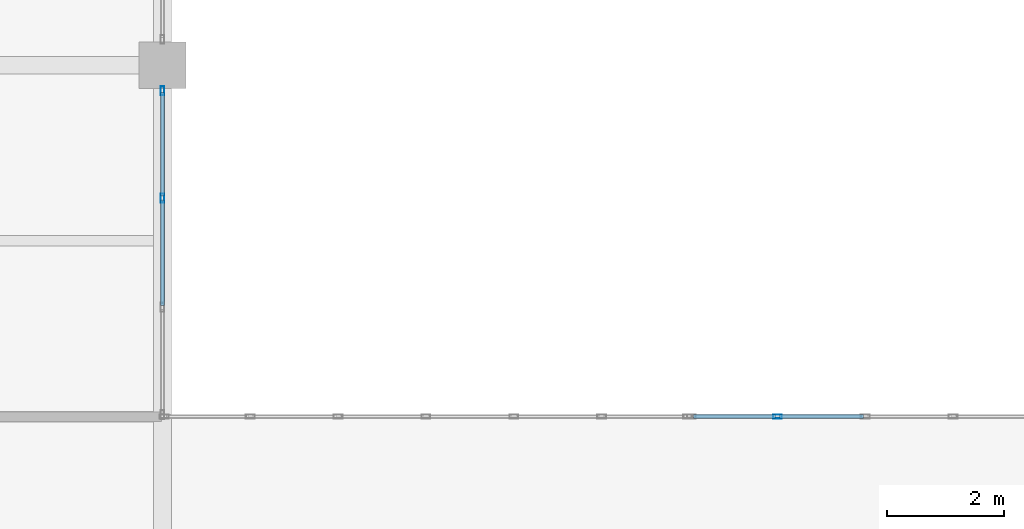
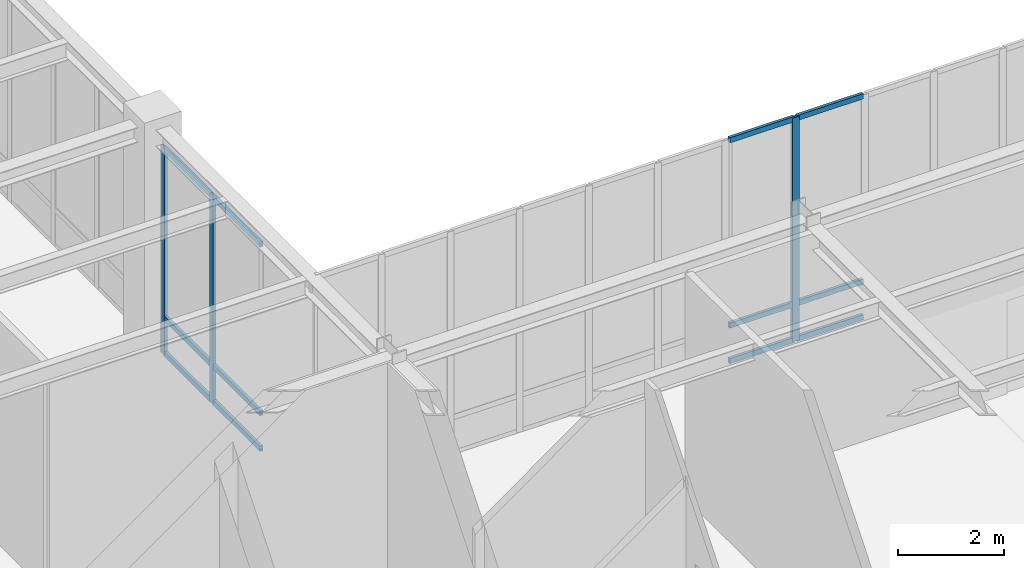
# One storey, part 17 of 77: 15 members, 2 elements without a shape of their own.
"""IFC4 building model written with IfcOpenShell, lengths in metres."""

import ifcopenshell
import ifcopenshell.guid

model = None  # the IFC model being written
_history = None  # IfcOwnerHistory: only IFC2X3 demands one
_inside = {}  # id of a spatial element -> (the spatial element, [elements in it])
_under = {}  # id of a project, library or spatial element -> (it, [spatial elements below it])
_declared = {}  # id of a project -> (the project, [libraries it declares])
_typed = {}  # id of a type object -> (the type object, [elements of that type])
_made_of = {}  # id of a material, layer set ... -> (it, [elements and type objects made of it])


def new_model(schema):
    """Start an empty IFC model of exactly this schema.

    Asked for "IFC4X3", IfcOpenShell would pick the latest addendum, in which some entities
    have other attributes; the version numbers below select the first issue.
    IFC2X3 requires an IfcOwnerHistory on every rooted entity: one is made here for all.
    """
    global model, _history
    if schema == "IFC4X3":
        model = ifcopenshell.file(schema_version=(4, 3, 0, 0))
    else:
        model = ifcopenshell.file(schema=schema)
    _inside.clear()
    _under.clear()
    _declared.clear()
    _typed.clear()
    _made_of.clear()
    _history = None
    if model.schema == "IFC2X3":
        org = make("IfcOrganization", Name="unknown")
        user = make(
            "IfcPersonAndOrganization",
            ThePerson=make("IfcPerson", FamilyName="unknown"),
            TheOrganization=org,
        )
        app = make(
            "IfcApplication",
            ApplicationDeveloper=org,
            Version="unknown",
            ApplicationFullName="unknown",
            ApplicationIdentifier="unknown",
        )
        _history = make(
            "IfcOwnerHistory",
            OwningUser=user,
            OwningApplication=app,
            ChangeAction="ADDED",
            CreationDate=0,
        )
    return model


def make(cls, **values):
    """One entity of the class cls with the attributes given. An attribute that is None is left unset."""
    return model.create_entity(
        cls, **{name: value for name, value in values.items() if value is not None}
    )


def rooted(cls, **values):
    """An entity with a GlobalId (a new one), such as an element, a storey or a relation."""
    return make(cls, GlobalId=ifcopenshell.guid.new(), OwnerHistory=_history, **values)


def si_unit(unit_type, name, prefix=None):
    """IfcSIUnit, for example si_unit("LENGTHUNIT", "METRE", prefix="MILLI")."""
    return make("IfcSIUnit", UnitType=unit_type, Prefix=prefix, Name=name)


def assignment(units):
    """IfcUnitAssignment: the units of a project."""
    return None if units is None else make("IfcUnitAssignment", Units=units)


def point(xyz):
    """IfcCartesianPoint."""
    return None if xyz is None else make("IfcCartesianPoint", Coordinates=xyz)


def direction(xyz):
    """IfcDirection."""
    return None if xyz is None else make("IfcDirection", DirectionRatios=xyz)


def frame(location, z_axis=None, x_axis=None):
    """IfcAxis2Placement3D, a coordinate frame: its origin and axes. An axis left out is left unset."""
    return make(
        "IfcAxis2Placement3D",
        Location=point(location),
        Axis=direction(z_axis),
        RefDirection=direction(x_axis),
    )


def frame_2d(location, x_axis=None):
    """IfcAxis2Placement2D, a coordinate frame in the plane: its origin and x axis."""
    return make(
        "IfcAxis2Placement2D", Location=point(location), RefDirection=direction(x_axis)
    )


def origin():
    """The frame at (0, 0, 0) with its axes left unset."""
    return frame((0.0, 0.0, 0.0))


def origin_2d():
    """The frame at (0, 0) in the plane with its x axis left unset."""
    return frame_2d((0.0, 0.0))


def place(relative_to, where):
    """IfcLocalPlacement: puts the frame where relative to a parent placement (None: the world)."""
    return make(
        "IfcLocalPlacement", PlacementRelTo=relative_to, RelativePlacement=where
    )


def context(
    kind, dimensions, precision=None, world=None, true_north=None, identifier=None
):
    """IfcGeometricRepresentationContext, for example the 3D "Model" context."""
    return make(
        "IfcGeometricRepresentationContext",
        ContextIdentifier=identifier,
        ContextType=kind,
        CoordinateSpaceDimension=dimensions,
        Precision=precision,
        WorldCoordinateSystem=world,
        TrueNorth=true_north,
    )


def subcontext(parent, identifier, kind, view, scale=None):
    """IfcGeometricRepresentationSubContext, for example "Body" below "Model"."""
    return make(
        "IfcGeometricRepresentationSubContext",
        ContextIdentifier=identifier,
        ContextType=kind,
        ParentContext=parent,
        TargetScale=scale,
        TargetView=view,
    )


def project(units=None, contexts=None):
    """IfcProject with its units and contexts."""
    return rooted(
        "IfcProject",
        Name="project",
        RepresentationContexts=contexts,
        UnitsInContext=assignment(units),
    )


def spatial(cls, under=None, at=None, **own):
    """A site, building, storey or space (cls), placed at a placement, below another one or the project."""
    s = rooted(cls, ObjectPlacement=at, **own)
    if under is not None:
        _under.setdefault(under.id(), (under, []))[1].append(s)
    return s


def profile(cls, at=None, kind="AREA", **sizes):
    """A parametric profile (cls). Its sizes go by their IFC names, for example OverallWidth=200.0."""
    return make(cls, ProfileType=kind, Position=at, **sizes)


def hollow_rectangle(**sizes):
    """IfcRectangleHollowProfileDef."""
    return profile("IfcRectangleHollowProfileDef", **sizes)


def extrude(swept, where, along, depth):
    """IfcExtrudedAreaSolid: the profile swept, set in the frame where, extruded along a direction by depth."""
    return make(
        "IfcExtrudedAreaSolid",
        SweptArea=swept,
        Position=where,
        ExtrudedDirection=direction(along),
        Depth=depth,
    )


def shape(context_of_items, identifier, shape_type, items):
    """IfcShapeRepresentation: the items that make up one representation, for example the "Body"."""
    return make(
        "IfcShapeRepresentation",
        ContextOfItems=context_of_items,
        RepresentationIdentifier=identifier,
        RepresentationType=shape_type,
        Items=items,
    )


def material(Name=None, Category=None):
    """IfcMaterial."""
    return make("IfcMaterial", Name=Name, Category=Category)


def material_profile(
    of_material, cross_section, Name=None, Category=None, Priority=None
):
    """IfcMaterialProfile: a cross section and its material."""
    return make(
        "IfcMaterialProfile",
        Name=Name,
        Material=of_material,
        Profile=cross_section,
        Priority=Priority,
        Category=Category,
    )


def profile_set(profiles, Name=None, composite=None):
    """IfcMaterialProfileSet."""
    return make(
        "IfcMaterialProfileSet",
        Name=Name,
        MaterialProfiles=profiles,
        CompositeProfile=composite,
    )


def made_of(thing, what):
    """Note that an element or type object is made of a material, layer set ...; save() writes the relation."""
    if what is not None:
        _made_of.setdefault(what.id(), (what, []))[1].append(thing)
    return thing


def type_object(cls, material=None, **own):
    """A type object (cls), such as IfcWallType, which elements share."""
    return made_of(rooted(cls, **own), material)


def element(
    cls,
    number,
    at=None,
    inside=None,
    cuts=None,
    type_object=None,
    material=None,
    context=None,
    identifier="Body",
    shape_type=None,
    held_by="IfcProductDefinitionShape",
    body=None,
    shapes=None,
    **own,
):
    """One element of the class cls, such as IfcWall. Its Tag is "e" and its number.

    at: its placement. inside: the storey or other place that contains it. cuts: it is an
    opening in that element (IfcRelVoidsElement). A single representation is given by context,
    identifier, shape_type and body (its items); several are given by shapes. held_by: the class
    of the entity that holds the representations. save() writes the other relations.
    """
    e = rooted(cls, Tag="e%d" % number, ObjectPlacement=at, **own)
    if body is not None:
        shapes = [shape(context, identifier, shape_type, body)]
    if shapes is not None:
        e.Representation = make(held_by, Representations=shapes)
    if inside is not None:
        _inside.setdefault(inside.id(), (inside, []))[1].append(e)
    if cuts is not None:
        rooted(
            "IfcRelVoidsElement", RelatingBuildingElement=cuts, RelatedOpeningElement=e
        )
    if type_object is not None:
        _typed.setdefault(type_object.id(), (type_object, []))[1].append(e)
    return made_of(e, material)


def aggregate(whole, parts):
    """IfcRelAggregates: a whole, such as a stair, and the parts it consists of."""
    return rooted("IfcRelAggregates", RelatingObject=whole, RelatedObjects=parts)


def save(model, path):
    """Write the relations noted so far, then the file.

    IfcRelAggregates (storeys below a building ...), IfcRelContainedInSpatialStructure (elements
    in a storey), IfcRelDefinesByType, IfcRelAssociatesMaterial and IfcRelDeclares: one each for
    every whole, place, type object, material and project.
    """
    for whole, parts in _under.values():
        aggregate(whole, parts)
    for where, things in _inside.values():
        rooted(
            "IfcRelContainedInSpatialStructure",
            RelatedElements=things,
            RelatingStructure=where,
        )
    for kind, things in _typed.values():
        rooted("IfcRelDefinesByType", RelatedObjects=things, RelatingType=kind)
    for what, things in _made_of.values():
        rooted("IfcRelAssociatesMaterial", RelatedObjects=things, RelatingMaterial=what)
    for by, libraries in _declared.values():
        rooted("IfcRelDeclares", RelatingContext=by, RelatedDefinitions=libraries)
    model.write(path)


model = new_model("IFC4")

# Units and contexts
model_context = context("Model", 3, precision=1e-05, world=origin(), true_north=direction((0.0, 1.0)))
body_context = subcontext(model_context, "Body", "Model", "MODEL_VIEW")
ifc_project = project(units=[si_unit("LENGTHUNIT", "METRE"), si_unit("AREAUNIT", "SQUARE_METRE"), si_unit("VOLUMEUNIT", "CUBIC_METRE"), si_unit("PLANEANGLEUNIT", "RADIAN"), si_unit("MASSUNIT", "GRAM", prefix="KILO")], contexts=[model_context])

# Site, building, storey
site_placement = place(None, origin())
site = spatial("IfcSite", under=ifc_project, at=site_placement, CompositionType="ELEMENT")
building_placement = place(site_placement, origin())
building = spatial("IfcBuilding", under=site, at=building_placement, Name="Lykobir Media Centre", CompositionType="ELEMENT")
storey_placement = place(building_placement, origin())
storey = spatial("IfcBuildingStorey", under=building, at=storey_placement, Name="L00", CompositionType="ELEMENT", Elevation=0.0)

# Curtain wall, member
ifc_material = material(Name="Anodized Aluminium AW-6060", Category="aluminium")
curtain_wall_type = type_object("IfcCurtainWallType", Name="CW-COURT-A", PredefinedType="NOTDEFINED", material=ifc_material)
curtain_wall_1_placement = place(storey_placement, origin())
curtain_wall_1 = element("IfcCurtainWall", 1, at=curtain_wall_1_placement, inside=storey, type_object=curtain_wall_type, Name="Curtain wall CW2-L00-0011", PredefinedType="NOTDEFINED")
ifc_material_profile_1 = material_profile(ifc_material, hollow_rectangle(XDim=0.06494140625, YDim=0.14990234375, WallThickness=0.00341796875, at=origin_2d()), Name="ALU MULLION 65x150")
ifc_profile_set_1 = profile_set([ifc_material_profile_1], Name="Anodized Aluminium AW-6060")
member_type_1 = type_object("IfcMemberType", Name="CWM-150", PredefinedType="MULLION", material=ifc_profile_set_1)
member_1_placement = place(storey_placement, frame((46.5, 21.0, 0.0), z_axis=(0.0, 0.0, 1.0), x_axis=(0.0, 1.0, 0.0)))
member_1 = element("IfcMember", 2, at=member_1_placement, type_object=member_type_1, Name="CW2-L00-0011 mullion 2", PredefinedType="MULLION", context=body_context, shape_type="SweptSolid", body=[
    extrude(hollow_rectangle(XDim=0.06494140625, YDim=0.14990234375, WallThickness=0.00341796875, at=origin_2d()), origin(), (0.0, 0.0, 1.0), 5.139892578125),
])

# Curtain wall, members
curtain_wall_2_placement = place(storey_placement, origin())
curtain_wall_2 = element("IfcCurtainWall", 3, at=curtain_wall_2_placement, inside=storey, type_object=curtain_wall_type, Name="Curtain wall CW2-L00-0014", PredefinedType="NOTDEFINED")
member_2_placement = place(storey_placement, frame((36.0, 26.5625, 0.0), z_axis=(0.0, 0.0, 1.0), x_axis=(1.0, 0.0, 0.0)))
member_2 = element("IfcMember", 4, at=member_2_placement, type_object=member_type_1, Name="CW2-L00-0014 mullion 1", PredefinedType="MULLION", context=body_context, shape_type="SweptSolid", body=[
    extrude(hollow_rectangle(XDim=0.06494140625, YDim=0.14990234375, WallThickness=0.00341796875, at=origin_2d()), origin(), (0.0, 0.0, 1.0), 4.7548828125),
])
member_3_placement = place(storey_placement, frame((36.0, 24.72998046875, 0.0), z_axis=(0.0, 0.0, 1.0), x_axis=(1.0, 0.0, 0.0)))
member_3 = element("IfcMember", 5, at=member_3_placement, type_object=member_type_1, Name="CW2-L00-0014 mullion 2", PredefinedType="MULLION", context=body_context, shape_type="SweptSolid", body=[
    extrude(hollow_rectangle(XDim=0.06494140625, YDim=0.14990234375, WallThickness=0.00341796875, at=origin_2d()), origin(), (0.0, 0.0, 1.0), 4.7548828125),
])

# Member
ifc_material_profile_2 = material_profile(ifc_material, hollow_rectangle(XDim=0.06494140625, YDim=0.1201171875, WallThickness=0.0029296875, at=origin_2d()), Name="ALU TRANSOM 65x120")
ifc_profile_set_2 = profile_set([ifc_material_profile_2], Name="Anodized Aluminium AW-6060")
member_type_2 = type_object("IfcMemberType", Name="CWT-120", PredefinedType="USERDEFINED", material=ifc_profile_set_2)
member_4_placement = place(storey_placement, frame((45.06494140625, 21.0, 0.032470703125), z_axis=(1.0, 0.0, 0.0), x_axis=(0.0, 1.0, 0.0)))
member_4 = element("IfcMember", 6, at=member_4_placement, type_object=member_type_2, Name="CW2-L00-0011 transom 1.1", ObjectType="TRANSOM", PredefinedType="USERDEFINED", context=body_context, shape_type="SweptSolid", body=[
    extrude(hollow_rectangle(XDim=0.06494140625, YDim=0.1201171875, WallThickness=0.0029296875, at=origin_2d()), origin(), (0.0, 0.0, 1.0), 1.402587890625),
])

member_5_placement = place(storey_placement, frame((45.06494140625, 21.0, 0.85009765625), z_axis=(1.0, 0.0, 0.0), x_axis=(0.0, 1.0, 0.0)))
member_5 = element("IfcMember", 7, at=member_5_placement, type_object=member_type_2, Name="CW2-L00-0011 transom 1.2", ObjectType="TRANSOM", PredefinedType="USERDEFINED", context=body_context, shape_type="SweptSolid", body=[
    extrude(hollow_rectangle(XDim=0.06494140625, YDim=0.1201171875, WallThickness=0.0029296875, at=origin_2d()), origin(), (0.0, 0.0, 1.0), 1.402587890625),
])

member_6_placement = place(storey_placement, frame((45.06494140625, 21.0, 5.107421875), z_axis=(1.0, 0.0, 0.0), x_axis=(0.0, 1.0, 0.0)))
member_6 = element("IfcMember", 8, at=member_6_placement, type_object=member_type_2, Name="CW2-L00-0011 transom 1.3", ObjectType="TRANSOM", PredefinedType="USERDEFINED", context=body_context, shape_type="SweptSolid", body=[
    extrude(hollow_rectangle(XDim=0.06494140625, YDim=0.1201171875, WallThickness=0.0029296875, at=origin_2d()), origin(), (0.0, 0.0, 1.0), 1.402587890625),
])

member_7_placement = place(storey_placement, frame((46.532470703125, 21.0, 0.032470703125), z_axis=(1.0, 0.0, 0.0), x_axis=(0.0, 1.0, 0.0)))
member_7 = element("IfcMember", 9, at=member_7_placement, type_object=member_type_2, Name="CW2-L00-0011 transom 2.1", ObjectType="TRANSOM", PredefinedType="USERDEFINED", context=body_context, shape_type="SweptSolid", body=[
    extrude(hollow_rectangle(XDim=0.06494140625, YDim=0.1201171875, WallThickness=0.0029296875, at=origin_2d()), origin(), (0.0, 0.0, 1.0), 1.43505859375),
])

member_8_placement = place(storey_placement, frame((46.532470703125, 21.0, 0.85009765625), z_axis=(1.0, 0.0, 0.0), x_axis=(0.0, 1.0, 0.0)))
member_8 = element("IfcMember", 10, at=member_8_placement, type_object=member_type_2, Name="CW2-L00-0011 transom 2.2", ObjectType="TRANSOM", PredefinedType="USERDEFINED", context=body_context, shape_type="SweptSolid", body=[
    extrude(hollow_rectangle(XDim=0.06494140625, YDim=0.1201171875, WallThickness=0.0029296875, at=origin_2d()), origin(), (0.0, 0.0, 1.0), 1.43505859375),
])

member_9_placement = place(storey_placement, frame((46.532470703125, 21.0, 5.107421875), z_axis=(1.0, 0.0, 0.0), x_axis=(0.0, 1.0, 0.0)))
member_9 = element("IfcMember", 11, at=member_9_placement, type_object=member_type_2, Name="CW2-L00-0011 transom 2.3", ObjectType="TRANSOM", PredefinedType="USERDEFINED", context=body_context, shape_type="SweptSolid", body=[
    extrude(hollow_rectangle(XDim=0.06494140625, YDim=0.1201171875, WallThickness=0.0029296875, at=origin_2d()), origin(), (0.0, 0.0, 1.0), 1.43505859375),
])

aggregate(curtain_wall_1, [member_1, member_4, member_5, member_6, member_7, member_8, member_9])

member_10_placement = place(storey_placement, frame((36.0, 26.530029296875, 0.032470703125), z_axis=(0.0, -1.0, 0.0), x_axis=(1.0, 0.0, 0.0)))
member_10 = element("IfcMember", 12, at=member_10_placement, type_object=member_type_2, Name="CW2-L00-0014 transom 1.1", ObjectType="TRANSOM", PredefinedType="USERDEFINED", context=body_context, shape_type="SweptSolid", body=[
    extrude(hollow_rectangle(XDim=0.06494140625, YDim=0.1201171875, WallThickness=0.0029296875, at=origin_2d()), origin(), (0.0, 0.0, 1.0), 1.767578125),
])

member_11_placement = place(storey_placement, frame((36.0, 26.530029296875, 0.85009765625), z_axis=(0.0, -1.0, 0.0), x_axis=(1.0, 0.0, 0.0)))
member_11 = element("IfcMember", 13, at=member_11_placement, type_object=member_type_2, Name="CW2-L00-0014 transom 1.2", ObjectType="TRANSOM", PredefinedType="USERDEFINED", context=body_context, shape_type="SweptSolid", body=[
    extrude(hollow_rectangle(XDim=0.06494140625, YDim=0.1201171875, WallThickness=0.0029296875, at=origin_2d()), origin(), (0.0, 0.0, 1.0), 1.767578125),
])

member_12_placement = place(storey_placement, frame((36.0, 26.530029296875, 4.722412109375), z_axis=(0.0, -1.0, 0.0), x_axis=(1.0, 0.0, 0.0)))
member_12 = element("IfcMember", 14, at=member_12_placement, type_object=member_type_2, Name="CW2-L00-0014 transom 1.3", ObjectType="TRANSOM", PredefinedType="USERDEFINED", context=body_context, shape_type="SweptSolid", body=[
    extrude(hollow_rectangle(XDim=0.06494140625, YDim=0.1201171875, WallThickness=0.0029296875, at=origin_2d()), origin(), (0.0, 0.0, 1.0), 1.767578125),
])

member_13_placement = place(storey_placement, frame((36.0, 24.697509765625, 0.032470703125), z_axis=(0.0, -1.0, 0.0), x_axis=(1.0, 0.0, 0.0)))
member_13 = element("IfcMember", 15, at=member_13_placement, type_object=member_type_2, Name="CW2-L00-0014 transom 2.1", ObjectType="TRANSOM", PredefinedType="USERDEFINED", context=body_context, shape_type="SweptSolid", body=[
    extrude(hollow_rectangle(XDim=0.06494140625, YDim=0.1201171875, WallThickness=0.0029296875, at=origin_2d()), origin(), (0.0, 0.0, 1.0), 1.800048828125),
])

member_14_placement = place(storey_placement, frame((36.0, 24.697509765625, 0.85009765625), z_axis=(0.0, -1.0, 0.0), x_axis=(1.0, 0.0, 0.0)))
member_14 = element("IfcMember", 16, at=member_14_placement, type_object=member_type_2, Name="CW2-L00-0014 transom 2.2", ObjectType="TRANSOM", PredefinedType="USERDEFINED", context=body_context, shape_type="SweptSolid", body=[
    extrude(hollow_rectangle(XDim=0.06494140625, YDim=0.1201171875, WallThickness=0.0029296875, at=origin_2d()), origin(), (0.0, 0.0, 1.0), 1.800048828125),
])

member_15_placement = place(storey_placement, frame((36.0, 24.697509765625, 4.722412109375), z_axis=(0.0, -1.0, 0.0), x_axis=(1.0, 0.0, 0.0)))
member_15 = element("IfcMember", 17, at=member_15_placement, type_object=member_type_2, Name="CW2-L00-0014 transom 2.3", ObjectType="TRANSOM", PredefinedType="USERDEFINED", context=body_context, shape_type="SweptSolid", body=[
    extrude(hollow_rectangle(XDim=0.06494140625, YDim=0.1201171875, WallThickness=0.0029296875, at=origin_2d()), origin(), (0.0, 0.0, 1.0), 1.800048828125),
])

aggregate(curtain_wall_2, [member_2, member_3, member_10, member_11, member_12, member_13, member_14, member_15])

save(model, "model.ifc")
